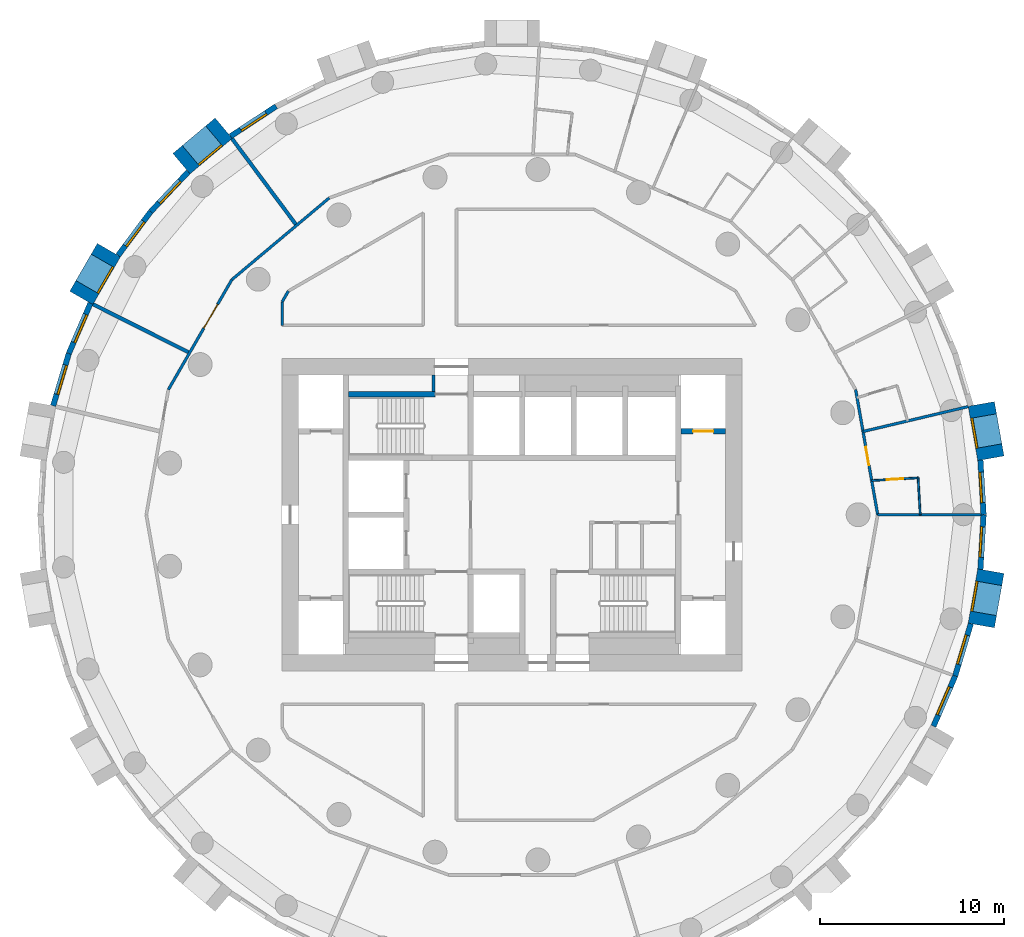
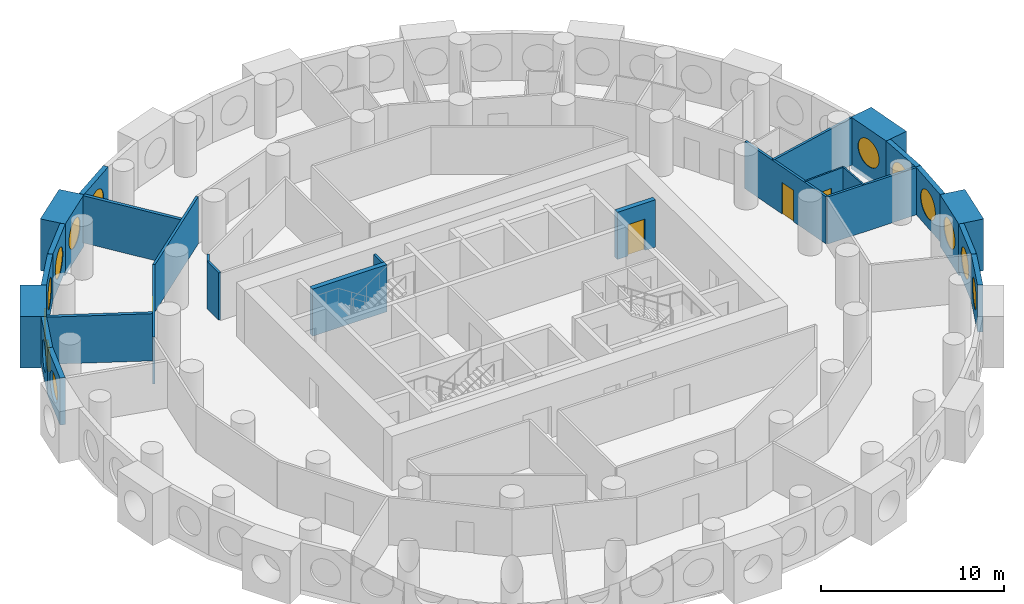
# One storey, part 5 of 9: 27 walls, 13 windows, 4 doors, 17 openings.
"""IFC4 building model written with IfcOpenShell, lengths in metres."""

import ifcopenshell
import ifcopenshell.guid

model = None  # the IFC model being written
_history = None  # IfcOwnerHistory: only IFC2X3 demands one
_inside = {}  # id of a spatial element -> (the spatial element, [elements in it])
_under = {}  # id of a project, library or spatial element -> (it, [spatial elements below it])
_declared = {}  # id of a project -> (the project, [libraries it declares])
_typed = {}  # id of a type object -> (the type object, [elements of that type])
_made_of = {}  # id of a material, layer set ... -> (it, [elements and type objects made of it])


def new_model(schema):
    """Start an empty IFC model of exactly this schema.

    Asked for "IFC4X3", IfcOpenShell would pick the latest addendum, in which some entities
    have other attributes; the version numbers below select the first issue.
    IFC2X3 requires an IfcOwnerHistory on every rooted entity: one is made here for all.
    """
    global model, _history
    if schema == "IFC4X3":
        model = ifcopenshell.file(schema_version=(4, 3, 0, 0))
    else:
        model = ifcopenshell.file(schema=schema)
    _inside.clear()
    _under.clear()
    _declared.clear()
    _typed.clear()
    _made_of.clear()
    _history = None
    if model.schema == "IFC2X3":
        org = make("IfcOrganization", Name="unknown")
        user = make(
            "IfcPersonAndOrganization",
            ThePerson=make("IfcPerson", FamilyName="unknown"),
            TheOrganization=org,
        )
        app = make(
            "IfcApplication",
            ApplicationDeveloper=org,
            Version="unknown",
            ApplicationFullName="unknown",
            ApplicationIdentifier="unknown",
        )
        _history = make(
            "IfcOwnerHistory",
            OwningUser=user,
            OwningApplication=app,
            ChangeAction="ADDED",
            CreationDate=0,
        )
    return model


def make(cls, **values):
    """One entity of the class cls with the attributes given. An attribute that is None is left unset."""
    return model.create_entity(
        cls, **{name: value for name, value in values.items() if value is not None}
    )


def rooted(cls, **values):
    """An entity with a GlobalId (a new one), such as an element, a storey or a relation."""
    return make(cls, GlobalId=ifcopenshell.guid.new(), OwnerHistory=_history, **values)


def si_unit(unit_type, name, prefix=None):
    """IfcSIUnit, for example si_unit("LENGTHUNIT", "METRE", prefix="MILLI")."""
    return make("IfcSIUnit", UnitType=unit_type, Prefix=prefix, Name=name)


def assignment(units):
    """IfcUnitAssignment: the units of a project."""
    return None if units is None else make("IfcUnitAssignment", Units=units)


def point(xyz):
    """IfcCartesianPoint."""
    return None if xyz is None else make("IfcCartesianPoint", Coordinates=xyz)


def direction(xyz):
    """IfcDirection."""
    return None if xyz is None else make("IfcDirection", DirectionRatios=xyz)


def frame(location, z_axis=None, x_axis=None):
    """IfcAxis2Placement3D, a coordinate frame: its origin and axes. An axis left out is left unset."""
    return make(
        "IfcAxis2Placement3D",
        Location=point(location),
        Axis=direction(z_axis),
        RefDirection=direction(x_axis),
    )


def frame_2d(location, x_axis=None):
    """IfcAxis2Placement2D, a coordinate frame in the plane: its origin and x axis."""
    return make(
        "IfcAxis2Placement2D", Location=point(location), RefDirection=direction(x_axis)
    )


def origin():
    """The frame at (0, 0, 0) with its axes left unset."""
    return frame((0.0, 0.0, 0.0))


def origin_2d():
    """The frame at (0, 0) in the plane with its x axis left unset."""
    return frame_2d((0.0, 0.0))


def place(relative_to, where):
    """IfcLocalPlacement: puts the frame where relative to a parent placement (None: the world)."""
    return make(
        "IfcLocalPlacement", PlacementRelTo=relative_to, RelativePlacement=where
    )


def context(
    kind, dimensions, precision=None, world=None, true_north=None, identifier=None
):
    """IfcGeometricRepresentationContext, for example the 3D "Model" context."""
    return make(
        "IfcGeometricRepresentationContext",
        ContextIdentifier=identifier,
        ContextType=kind,
        CoordinateSpaceDimension=dimensions,
        Precision=precision,
        WorldCoordinateSystem=world,
        TrueNorth=true_north,
    )


def subcontext(parent, identifier, kind, view, scale=None):
    """IfcGeometricRepresentationSubContext, for example "Body" below "Model"."""
    return make(
        "IfcGeometricRepresentationSubContext",
        ContextIdentifier=identifier,
        ContextType=kind,
        ParentContext=parent,
        TargetScale=scale,
        TargetView=view,
    )


def project(units=None, contexts=None):
    """IfcProject with its units and contexts."""
    return rooted(
        "IfcProject",
        Name="project",
        RepresentationContexts=contexts,
        UnitsInContext=assignment(units),
    )


def spatial(cls, under=None, at=None, **own):
    """A site, building, storey or space (cls), placed at a placement, below another one or the project."""
    s = rooted(cls, ObjectPlacement=at, **own)
    if under is not None:
        _under.setdefault(under.id(), (under, []))[1].append(s)
    return s


def profile(cls, at=None, kind="AREA", **sizes):
    """A parametric profile (cls). Its sizes go by their IFC names, for example OverallWidth=200.0."""
    return make(cls, ProfileType=kind, Position=at, **sizes)


def rectangle(**sizes):
    """IfcRectangleProfileDef."""
    return profile("IfcRectangleProfileDef", **sizes)


def circle(**sizes):
    """IfcCircleProfileDef."""
    return profile("IfcCircleProfileDef", **sizes)


def extrude(swept, where, along, depth):
    """IfcExtrudedAreaSolid: the profile swept, set in the frame where, extruded along a direction by depth."""
    return make(
        "IfcExtrudedAreaSolid",
        SweptArea=swept,
        Position=where,
        ExtrudedDirection=direction(along),
        Depth=depth,
    )


def shape(context_of_items, identifier, shape_type, items):
    """IfcShapeRepresentation: the items that make up one representation, for example the "Body"."""
    return make(
        "IfcShapeRepresentation",
        ContextOfItems=context_of_items,
        RepresentationIdentifier=identifier,
        RepresentationType=shape_type,
        Items=items,
    )


def material(Name=None, Category=None):
    """IfcMaterial."""
    return make("IfcMaterial", Name=Name, Category=Category)


def layer(
    of_material, thickness, ventilated=None, Name=None, Category=None, Priority=None
):
    """IfcMaterialLayer: one layer of a wall or slab, of a material (None: an air gap)."""
    return make(
        "IfcMaterialLayer",
        Material=of_material,
        LayerThickness=thickness,
        IsVentilated=ventilated,
        Name=Name,
        Category=Category,
        Priority=Priority,
    )


def layer_set(layers, Name=None):
    """IfcMaterialLayerSet."""
    return make("IfcMaterialLayerSet", MaterialLayers=layers, LayerSetName=Name)


def made_of(thing, what):
    """Note that an element or type object is made of a material, layer set ...; save() writes the relation."""
    if what is not None:
        _made_of.setdefault(what.id(), (what, []))[1].append(thing)
    return thing


def type_object(cls, material=None, **own):
    """A type object (cls), such as IfcWallType, which elements share."""
    return made_of(rooted(cls, **own), material)


def element(
    cls,
    number,
    at=None,
    inside=None,
    cuts=None,
    type_object=None,
    material=None,
    context=None,
    identifier="Body",
    shape_type=None,
    held_by="IfcProductDefinitionShape",
    body=None,
    shapes=None,
    **own,
):
    """One element of the class cls, such as IfcWall. Its Tag is "e" and its number.

    at: its placement. inside: the storey or other place that contains it. cuts: it is an
    opening in that element (IfcRelVoidsElement). A single representation is given by context,
    identifier, shape_type and body (its items); several are given by shapes. held_by: the class
    of the entity that holds the representations. save() writes the other relations.
    """
    e = rooted(cls, Tag="e%d" % number, ObjectPlacement=at, **own)
    if body is not None:
        shapes = [shape(context, identifier, shape_type, body)]
    if shapes is not None:
        e.Representation = make(held_by, Representations=shapes)
    if inside is not None:
        _inside.setdefault(inside.id(), (inside, []))[1].append(e)
    if cuts is not None:
        rooted(
            "IfcRelVoidsElement", RelatingBuildingElement=cuts, RelatedOpeningElement=e
        )
    if type_object is not None:
        _typed.setdefault(type_object.id(), (type_object, []))[1].append(e)
    return made_of(e, material)


def fill(opening, filler):
    """IfcRelFillsElement: the door or window that sits in an opening."""
    return rooted(
        "IfcRelFillsElement",
        RelatingOpeningElement=opening,
        RelatedBuildingElement=filler,
    )


def aggregate(whole, parts):
    """IfcRelAggregates: a whole, such as a stair, and the parts it consists of."""
    return rooted("IfcRelAggregates", RelatingObject=whole, RelatedObjects=parts)


def save(model, path):
    """Write the relations noted so far, then the file.

    IfcRelAggregates (storeys below a building ...), IfcRelContainedInSpatialStructure (elements
    in a storey), IfcRelDefinesByType, IfcRelAssociatesMaterial and IfcRelDeclares: one each for
    every whole, place, type object, material and project.
    """
    for whole, parts in _under.values():
        aggregate(whole, parts)
    for where, things in _inside.values():
        rooted(
            "IfcRelContainedInSpatialStructure",
            RelatedElements=things,
            RelatingStructure=where,
        )
    for kind, things in _typed.values():
        rooted("IfcRelDefinesByType", RelatedObjects=things, RelatingType=kind)
    for what, things in _made_of.values():
        rooted("IfcRelAssociatesMaterial", RelatedObjects=things, RelatingMaterial=what)
    for by, libraries in _declared.values():
        rooted("IfcRelDeclares", RelatingContext=by, RelatedDefinitions=libraries)
    model.write(path)


model = new_model("IFC4")

# Units and contexts
model_context = context("Model", 3, precision=1e-05, world=origin(), true_north=direction((0.0, 1.0)))
body_context = subcontext(model_context, "Body", "Model", "MODEL_VIEW")
ifc_project = project(units=[si_unit("LENGTHUNIT", "METRE"), si_unit("AREAUNIT", "SQUARE_METRE"), si_unit("VOLUMEUNIT", "CUBIC_METRE"), si_unit("PLANEANGLEUNIT", "RADIAN"), si_unit("MASSUNIT", "GRAM", prefix="KILO")], contexts=[model_context])

# Site, building, storey
site_placement = place(None, origin())
site = spatial("IfcSite", under=ifc_project, at=site_placement, CompositionType="ELEMENT")
building_placement = place(site_placement, origin())
building = spatial("IfcBuilding", under=site, at=building_placement, Name="Tracery Tower", CompositionType="ELEMENT")
storey_placement = place(building_placement, frame((0.0, 0.0, 216.0)))
storey = spatial("IfcBuildingStorey", under=building, at=storey_placement, Name="L56", CompositionType="ELEMENT", Elevation=216.0)

# Wall
ifc_material_1 = material(Name="Plasterboard on steel studs", Category="steel")
ifc_layer_1 = layer(ifc_material_1, 0.14990234375)
ifc_layer_set_1 = layer_set([ifc_layer_1], Name="Core room partition 150")
wall_type_1 = type_object("IfcWallType", Name="Core room partition 150", PredefinedType="SOLIDWALL", material=ifc_layer_set_1)
wall_1_placement = place(storey_placement, frame((-4.27490234375, 6.699951171875, 0.0), z_axis=(0.0, 0.0, 1.0), x_axis=(0.0, 1.0, 0.0)))
element("IfcWall", 1, at=wall_1_placement, inside=storey, type_object=wall_type_1, Name="L56 F N room", PredefinedType="SOLIDWALL", context=body_context, shape_type="SweptSolid", body=[
    extrude(rectangle(XDim=0.900146484375, YDim=0.14990234375, at=frame_2d((0.4501953125, 0.0))), origin(), (0.0, 0.0, 1.0), 3.14990234375),
])

# Wall, opening, window
ifc_material_2 = material(Name="Precast concrete C50/60", Category="concrete")
ifc_layer_2 = layer(ifc_material_2, 1.449951171875)
ifc_layer_set_2 = layer_set([ifc_layer_2], Name="Deep-set bay unit 3000 x 3450, slab edge 300")
wall_type_2 = type_object("IfcWallType", Name="Deep-set bay unit 3000 x 3450, slab edge 300", PredefinedType="ELEMENTEDWALL", material=ifc_layer_set_2)
wall_2_placement = place(storey_placement, frame((26.041748046875, 3.06884765625, -0.300048828125), z_axis=(0.0, 0.0, 1.0), x_axis=(-0.173669267716, 0.984804034035, 0.0)))
wall_2 = element("IfcWall", 2, at=wall_2_placement, inside=storey, type_object=wall_type_2, Name="Deep-set bay unit 2 at L56", PredefinedType="ELEMENTEDWALL", context=body_context, shape_type="SweptSolid", body=[
    extrude(rectangle(XDim=3.0, YDim=1.449951171875, at=frame_2d((1.5, 0.0))), origin(), (0.0, 0.0, 1.0), 3.449951171875),
])
opening_1_placement = place(wall_2_placement, frame((1.5, 0.0, 1.85009765625)))
opening_1 = element("IfcOpeningElement", 3, at=opening_1_placement, cuts=wall_2, Name="Opening WN1", PredefinedType="OPENING", context=body_context, shape_type="SweptSolid", body=[
    extrude(circle(Radius=0.9000244140625, at=origin_2d()), frame((0.0, 0.73486328125, 0.0), z_axis=(0.0, -1.0, 0.0), x_axis=(1.0, 0.0, 0.0)), (0.0, 0.0, 1.0), 1.469970703125),
])
ifc_material_3 = material(Name="Aluminium frame with tinted double glazing", Category="aluminium")
window_type = type_object("IfcWindowType", Name="Round window 1800", PartitioningType="SINGLE_PANEL", PredefinedType="WINDOW", material=ifc_material_3)
window_1_placement = place(opening_1_placement, origin())
window_1 = element("IfcWindow", 4, at=window_1_placement, inside=storey, type_object=window_type, Name="Round window 2 at L56", OverallHeight=1.800048828125, OverallWidth=1.800048828125, PartitioningType="SINGLE_PANEL", PredefinedType="WINDOW", context=body_context, shape_type="SweptSolid", body=[
    extrude(circle(Radius=0.9000244140625, at=origin_2d()), frame((0.0, 0.69482421875, 0.0), z_axis=(0.0, -1.0, 0.0), x_axis=(1.0, 0.0, 0.0)), (0.0, 0.0, 1.0), 0.10009765625),
])
fill(opening_1, window_1)

wall_3_placement = place(storey_placement, frame((-15.678466796875, 21.0185546875, -0.300048828125), z_axis=(0.0, 0.0, 1.0), x_axis=(-0.766022196139, -0.642814121673, 0.0)))
wall_3 = element("IfcWall", 5, at=wall_3_placement, inside=storey, type_object=wall_type_2, Name="Deep-set bay unit 20 at L56", PredefinedType="ELEMENTEDWALL", context=body_context, shape_type="SweptSolid", body=[
    extrude(rectangle(XDim=3.0, YDim=1.449951171875, at=frame_2d((1.5, 0.0))), origin(), (0.0, 0.0, 1.0), 3.449951171875),
])
opening_2_placement = place(wall_3_placement, frame((1.5, 0.0, 1.85009765625)))
opening_2 = element("IfcOpeningElement", 6, at=opening_2_placement, cuts=wall_3, Name="Opening WN1", PredefinedType="OPENING", context=body_context, shape_type="SweptSolid", body=[
    extrude(circle(Radius=0.9000244140625, at=origin_2d()), frame((0.0, 0.73486328125, 0.0), z_axis=(0.0, -1.0, 0.0), x_axis=(1.0, 0.0, 0.0)), (0.0, 0.0, 1.0), 1.469970703125),
])
window_2_placement = place(opening_2_placement, origin())
window_2 = element("IfcWindow", 7, at=window_2_placement, inside=storey, type_object=window_type, Name="Round window 20 at L56", OverallHeight=1.800048828125, OverallWidth=1.800048828125, PartitioningType="SINGLE_PANEL", PredefinedType="WINDOW", context=body_context, shape_type="SweptSolid", body=[
    extrude(circle(Radius=0.9000244140625, at=origin_2d()), frame((0.0, 0.69482421875, 0.0), z_axis=(0.0, -1.0, 0.0), x_axis=(1.0, 0.0, 0.0)), (0.0, 0.0, 1.0), 0.10009765625),
])
fill(opening_2, window_2)

wall_4_placement = place(storey_placement, frame((-21.921630859375, 14.388671875, -0.300048828125), z_axis=(0.0, 0.0, 1.0), x_axis=(-0.499990139034, -0.866031096941, 0.0)))
wall_4 = element("IfcWall", 8, at=wall_4_placement, inside=storey, type_object=wall_type_2, Name="Deep-set bay unit 23 at L56", PredefinedType="ELEMENTEDWALL", context=body_context, shape_type="SweptSolid", body=[
    extrude(rectangle(XDim=3.0, YDim=1.449951171875, at=frame_2d((1.5, 0.0))), origin(), (0.0, 0.0, 1.0), 3.449951171875),
])
opening_3_placement = place(wall_4_placement, frame((1.5, 0.0, 1.85009765625)))
opening_3 = element("IfcOpeningElement", 9, at=opening_3_placement, cuts=wall_4, Name="Opening WN1", PredefinedType="OPENING", context=body_context, shape_type="SweptSolid", body=[
    extrude(circle(Radius=0.9000244140625, at=origin_2d()), frame((0.0, 0.73486328125, 0.0), z_axis=(0.0, -1.0, 0.0), x_axis=(1.0, 0.0, 0.0)), (0.0, 0.0, 1.0), 1.469970703125),
])
window_3_placement = place(opening_3_placement, origin())
window_3 = element("IfcWindow", 10, at=window_3_placement, inside=storey, type_object=window_type, Name="Round window 23 at L56", OverallHeight=1.800048828125, OverallWidth=1.800048828125, PartitioningType="SINGLE_PANEL", PredefinedType="WINDOW", context=body_context, shape_type="SweptSolid", body=[
    extrude(circle(Radius=0.9000244140625, at=origin_2d()), frame((0.0, 0.69482421875, 0.0), z_axis=(0.0, -1.0, 0.0), x_axis=(1.0, 0.0, 0.0)), (0.0, 0.0, 1.0), 0.10009765625),
])
fill(opening_3, window_3)

wall_5_placement = place(storey_placement, frame((25.520751953125, -6.023193359375, -0.300048828125), z_axis=(0.0, 0.0, 1.0), x_axis=(0.173669267716, 0.984804034035, 0.0)))
wall_5 = element("IfcWall", 11, at=wall_5_placement, inside=storey, type_object=wall_type_2, Name="Deep-set bay unit 53 at L56", PredefinedType="ELEMENTEDWALL", context=body_context, shape_type="SweptSolid", body=[
    extrude(rectangle(XDim=3.0, YDim=1.449951171875, at=frame_2d((1.5, 0.0))), origin(), (0.0, 0.0, 1.0), 3.449951171875),
])
opening_4_placement = place(wall_5_placement, frame((1.5, 0.0, 1.85009765625)))
opening_4 = element("IfcOpeningElement", 12, at=opening_4_placement, cuts=wall_5, Name="Opening WN1", PredefinedType="OPENING", context=body_context, shape_type="SweptSolid", body=[
    extrude(circle(Radius=0.9000244140625, at=origin_2d()), frame((0.0, 0.73486328125, 0.0), z_axis=(0.0, -1.0, 0.0), x_axis=(1.0, 0.0, 0.0)), (0.0, 0.0, 1.0), 1.469970703125),
])
window_4_placement = place(opening_4_placement, origin())
window_4 = element("IfcWindow", 13, at=window_4_placement, inside=storey, type_object=window_type, Name="Round window 53 at L56", OverallHeight=1.800048828125, OverallWidth=1.800048828125, PartitioningType="SINGLE_PANEL", PredefinedType="WINDOW", context=body_context, shape_type="SweptSolid", body=[
    extrude(circle(Radius=0.9000244140625, at=origin_2d()), frame((0.0, 0.69482421875, 0.0), z_axis=(0.0, -1.0, 0.0), x_axis=(1.0, 0.0, 0.0)), (0.0, 0.0, 1.0), 0.10009765625),
])
fill(opening_4, window_4)

ifc_material_4 = material(Name="Precast concrete C50/60", Category="concrete")
ifc_layer_3 = layer(ifc_material_4, 0.300048828125)
ifc_layer_set_3 = layer_set([ifc_layer_3], Name="Facade panel 3000 x 3150")
wall_type_3 = type_object("IfcWallType", Name="Facade panel 3000 x 3150", PredefinedType="SOLIDWALL", material=ifc_layer_set_3)
wall_6_placement = place(storey_placement, frame((25.6474609375, 0.0, 0.0), z_axis=(0.0, 0.0, 1.0), x_axis=(-0.058144307138, 0.998308188661, 0.0)))
wall_6 = element("IfcWall", 14, at=wall_6_placement, inside=storey, type_object=wall_type_3, Name="Facade panel 1 at L56", PredefinedType="SOLIDWALL", context=body_context, shape_type="SweptSolid", body=[
    extrude(rectangle(XDim=2.972900390625, YDim=0.300048828125, at=frame_2d((1.486328125, 0.0))), origin(), (0.0, 0.0, 1.0), 3.14990234375),
])
opening_5_placement = place(wall_6_placement, frame((1.486328125, 0.0, 1.5498046875)))
opening_5 = element("IfcOpeningElement", 15, at=opening_5_placement, cuts=wall_6, Name="Opening WN1", PredefinedType="OPENING", context=body_context, shape_type="SweptSolid", body=[
    extrude(circle(Radius=0.9000244140625, at=origin_2d()), frame((0.0, 0.159912109375, 0.0), z_axis=(0.0, -1.0, 0.0), x_axis=(1.0, 0.0, 0.0)), (0.0, 0.0, 1.0), 0.320068359375),
])
window_5_placement = place(opening_5_placement, origin())
window_5 = element("IfcWindow", 16, at=window_5_placement, inside=storey, type_object=window_type, Name="Round window 1 at L56", OverallHeight=1.800048828125, OverallWidth=1.800048828125, PartitioningType="SINGLE_PANEL", PredefinedType="WINDOW", context=body_context, shape_type="SweptSolid", body=[
    extrude(circle(Radius=0.9000244140625, at=origin_2d()), frame((0.0, 0.1201171875, 0.0), z_axis=(0.0, -1.0, 0.0), x_axis=(1.0, 0.0, 0.0)), (0.0, 0.0, 1.0), 0.10009765625),
])
fill(opening_5, window_5)

wall_7_placement = place(storey_placement, frame((-12.82373046875, 22.21142578125, 0.0), z_axis=(0.0, 0.0, 1.0), x_axis=(-0.835470659512, -0.549535055382, 0.0)))
wall_7 = element("IfcWall", 17, at=wall_7_placement, inside=storey, type_object=wall_type_3, Name="Facade panel 19 at L56", PredefinedType="SOLIDWALL", context=body_context, shape_type="SweptSolid", body=[
    extrude(rectangle(XDim=2.97314453125, YDim=0.300048828125, at=frame_2d((1.486572265625, 0.0))), origin(), (0.0, 0.0, 1.0), 3.14990234375),
])
opening_6_placement = place(wall_7_placement, frame((1.486328125, 0.0, 1.5498046875)))
opening_6 = element("IfcOpeningElement", 18, at=opening_6_placement, cuts=wall_7, Name="Opening WN1", PredefinedType="OPENING", context=body_context, shape_type="SweptSolid", body=[
    extrude(circle(Radius=0.9000244140625, at=origin_2d()), frame((0.0, 0.159912109375, 0.0), z_axis=(0.0, -1.0, 0.0), x_axis=(1.0, 0.0, 0.0)), (0.0, 0.0, 1.0), 0.320068359375),
])
window_6_placement = place(opening_6_placement, origin())
window_6 = element("IfcWindow", 19, at=window_6_placement, inside=storey, type_object=window_type, Name="Round window 19 at L56", OverallHeight=1.800048828125, OverallWidth=1.800048828125, PartitioningType="SINGLE_PANEL", PredefinedType="WINDOW", context=body_context, shape_type="SweptSolid", body=[
    extrude(circle(Radius=0.9000244140625, at=origin_2d()), frame((0.0, 0.1201171875, 0.0), z_axis=(0.0, -1.0, 0.0), x_axis=(1.0, 0.0, 0.0)), (0.0, 0.0, 1.0), 0.10009765625),
])
fill(opening_6, window_6)

wall_8_placement = place(storey_placement, frame((-17.60693359375, 18.648193359375, 0.0), z_axis=(0.0, 0.0, 1.0), x_axis=(-0.686235184166, -0.727379730273, 0.0)))
wall_8 = element("IfcWall", 20, at=wall_8_placement, inside=storey, type_object=wall_type_3, Name="Facade panel 21 at L56", PredefinedType="SOLIDWALL", context=body_context, shape_type="SweptSolid", body=[
    extrude(rectangle(XDim=2.972900390625, YDim=0.300048828125, at=frame_2d((1.486328125, 0.0))), origin(), (0.0, 0.0, 1.0), 3.14990234375),
])
opening_7_placement = place(wall_8_placement, frame((1.486328125, 0.0, 1.5498046875)))
opening_7 = element("IfcOpeningElement", 21, at=opening_7_placement, cuts=wall_8, Name="Opening WN1", PredefinedType="OPENING", context=body_context, shape_type="SweptSolid", body=[
    extrude(circle(Radius=0.9000244140625, at=origin_2d()), frame((0.0, 0.159912109375, 0.0), z_axis=(0.0, -1.0, 0.0), x_axis=(1.0, 0.0, 0.0)), (0.0, 0.0, 1.0), 0.320068359375),
])
window_7_placement = place(opening_7_placement, origin())
window_7 = element("IfcWindow", 22, at=window_7_placement, inside=storey, type_object=window_type, Name="Round window 21 at L56", OverallHeight=1.800048828125, OverallWidth=1.800048828125, PartitioningType="SINGLE_PANEL", PredefinedType="WINDOW", context=body_context, shape_type="SweptSolid", body=[
    extrude(circle(Radius=0.9000244140625, at=origin_2d()), frame((0.0, 0.1201171875, 0.0), z_axis=(0.0, -1.0, 0.0), x_axis=(1.0, 0.0, 0.0)), (0.0, 0.0, 1.0), 0.10009765625),
])
fill(opening_7, window_7)

wall_9_placement = place(storey_placement, frame((-19.64697265625, 16.48583984375, 0.0), z_axis=(0.0, 0.0, 1.0), x_axis=(-0.597197580538, -0.80209416517, 0.0)))
wall_9 = element("IfcWall", 23, at=wall_9_placement, inside=storey, type_object=wall_type_3, Name="Facade panel 22 at L56", PredefinedType="SOLIDWALL", context=body_context, shape_type="SweptSolid", body=[
    extrude(rectangle(XDim=2.972900390625, YDim=0.300048828125, at=frame_2d((1.486328125, 0.0))), origin(), (0.0, 0.0, 1.0), 3.14990234375),
])
opening_8_placement = place(wall_9_placement, frame((1.486328125, 0.0, 1.5498046875)))
opening_8 = element("IfcOpeningElement", 24, at=opening_8_placement, cuts=wall_9, Name="Opening WN1", PredefinedType="OPENING", context=body_context, shape_type="SweptSolid", body=[
    extrude(circle(Radius=0.9000244140625, at=origin_2d()), frame((0.0, 0.159912109375, 0.0), z_axis=(0.0, -1.0, 0.0), x_axis=(1.0, 0.0, 0.0)), (0.0, 0.0, 1.0), 0.320068359375),
])
window_8_placement = place(opening_8_placement, origin())
window_8 = element("IfcWindow", 25, at=window_8_placement, inside=storey, type_object=window_type, Name="Round window 22 at L56", OverallHeight=1.800048828125, OverallWidth=1.800048828125, PartitioningType="SINGLE_PANEL", PredefinedType="WINDOW", context=body_context, shape_type="SweptSolid", body=[
    extrude(circle(Radius=0.9000244140625, at=origin_2d()), frame((0.0, 0.1201171875, 0.0), z_axis=(0.0, -1.0, 0.0), x_axis=(1.0, 0.0, 0.0)), (0.0, 0.0, 1.0), 0.10009765625),
])
fill(opening_8, window_8)

wall_10_placement = place(storey_placement, frame((-22.923095703125, 11.501708984375, 0.0), z_axis=(0.0, 0.0, 1.0), x_axis=(-0.396148129016, -0.918186614952, 0.0)))
wall_10 = element("IfcWall", 26, at=wall_10_placement, inside=storey, type_object=wall_type_3, Name="Facade panel 24 at L56", PredefinedType="SOLIDWALL", context=body_context, shape_type="SweptSolid", body=[
    extrude(rectangle(XDim=2.972900390625, YDim=0.300048828125, at=frame_2d((1.486328125, 0.0))), origin(), (0.0, 0.0, 1.0), 3.14990234375),
])
opening_9_placement = place(wall_10_placement, frame((1.486328125, 0.0, 1.5498046875)))
opening_9 = element("IfcOpeningElement", 27, at=opening_9_placement, cuts=wall_10, Name="Opening WN1", PredefinedType="OPENING", context=body_context, shape_type="SweptSolid", body=[
    extrude(circle(Radius=0.9000244140625, at=origin_2d()), frame((0.0, 0.159912109375, 0.0), z_axis=(0.0, -1.0, 0.0), x_axis=(1.0, 0.0, 0.0)), (0.0, 0.0, 1.0), 0.320068359375),
])
window_9_placement = place(opening_9_placement, origin())
window_9 = element("IfcWindow", 28, at=window_9_placement, inside=storey, type_object=window_type, Name="Round window 24 at L56", OverallHeight=1.800048828125, OverallWidth=1.800048828125, PartitioningType="SINGLE_PANEL", PredefinedType="WINDOW", context=body_context, shape_type="SweptSolid", body=[
    extrude(circle(Radius=0.9000244140625, at=origin_2d()), frame((0.0, 0.1201171875, 0.0), z_axis=(0.0, -1.0, 0.0), x_axis=(1.0, 0.0, 0.0)), (0.0, 0.0, 1.0), 0.10009765625),
])
fill(opening_9, window_9)

wall_11_placement = place(storey_placement, frame((-24.100830078125, 8.77197265625, 0.0), z_axis=(0.0, 0.0, 1.0), x_axis=(-0.286782750849, -0.957995643944, 0.0)))
wall_11 = element("IfcWall", 29, at=wall_11_placement, inside=storey, type_object=wall_type_3, Name="Facade panel 25 at L56", PredefinedType="SOLIDWALL", context=body_context, shape_type="SweptSolid", body=[
    extrude(rectangle(XDim=2.97265625, YDim=0.300048828125, at=frame_2d((1.486328125, 0.0))), origin(), (0.0, 0.0, 1.0), 3.14990234375),
])
opening_10_placement = place(wall_11_placement, frame((1.486328125, 0.0, 1.5498046875)))
opening_10 = element("IfcOpeningElement", 30, at=opening_10_placement, cuts=wall_11, Name="Opening WN1", PredefinedType="OPENING", context=body_context, shape_type="SweptSolid", body=[
    extrude(circle(Radius=0.9000244140625, at=origin_2d()), frame((0.0, 0.159912109375, 0.0), z_axis=(0.0, -1.0, 0.0), x_axis=(1.0, 0.0, 0.0)), (0.0, 0.0, 1.0), 0.320068359375),
])
window_10_placement = place(opening_10_placement, origin())
window_10 = element("IfcWindow", 31, at=window_10_placement, inside=storey, type_object=window_type, Name="Round window 25 at L56", OverallHeight=1.800048828125, OverallWidth=1.800048828125, PartitioningType="SINGLE_PANEL", PredefinedType="WINDOW", context=body_context, shape_type="SweptSolid", body=[
    extrude(circle(Radius=0.9000244140625, at=origin_2d()), frame((0.0, 0.1201171875, 0.0), z_axis=(0.0, -1.0, 0.0), x_axis=(1.0, 0.0, 0.0)), (0.0, 0.0, 1.0), 0.10009765625),
])
fill(opening_10, window_10)

wall_12_placement = place(storey_placement, frame((22.923095703125, -11.501708984375, 0.0), z_axis=(0.0, 0.0, 1.0), x_axis=(0.396148129016, 0.918186614952, 0.0)))
wall_12 = element("IfcWall", 32, at=wall_12_placement, inside=storey, type_object=wall_type_3, Name="Facade panel 51 at L56", PredefinedType="SOLIDWALL", context=body_context, shape_type="SweptSolid", body=[
    extrude(rectangle(XDim=2.972900390625, YDim=0.300048828125, at=frame_2d((1.486328125, 0.0))), origin(), (0.0, 0.0, 1.0), 3.14990234375),
])
opening_11_placement = place(wall_12_placement, frame((1.486328125, 0.0, 1.5498046875)))
opening_11 = element("IfcOpeningElement", 33, at=opening_11_placement, cuts=wall_12, Name="Opening WN1", PredefinedType="OPENING", context=body_context, shape_type="SweptSolid", body=[
    extrude(circle(Radius=0.9000244140625, at=origin_2d()), frame((0.0, 0.159912109375, 0.0), z_axis=(0.0, -1.0, 0.0), x_axis=(1.0, 0.0, 0.0)), (0.0, 0.0, 1.0), 0.320068359375),
])
window_11_placement = place(opening_11_placement, origin())
window_11 = element("IfcWindow", 34, at=window_11_placement, inside=storey, type_object=window_type, Name="Round window 51 at L56", OverallHeight=1.800048828125, OverallWidth=1.800048828125, PartitioningType="SINGLE_PANEL", PredefinedType="WINDOW", context=body_context, shape_type="SweptSolid", body=[
    extrude(circle(Radius=0.9000244140625, at=origin_2d()), frame((0.0, 0.1201171875, 0.0), z_axis=(0.0, -1.0, 0.0), x_axis=(1.0, 0.0, 0.0)), (0.0, 0.0, 1.0), 0.10009765625),
])
fill(opening_11, window_11)

wall_13_placement = place(storey_placement, frame((24.100830078125, -8.77197265625, 0.0), z_axis=(0.0, 0.0, 1.0), x_axis=(0.286782750849, 0.957995643944, 0.0)))
wall_13 = element("IfcWall", 35, at=wall_13_placement, inside=storey, type_object=wall_type_3, Name="Facade panel 52 at L56", PredefinedType="SOLIDWALL", context=body_context, shape_type="SweptSolid", body=[
    extrude(rectangle(XDim=2.97265625, YDim=0.300048828125, at=frame_2d((1.486328125, 0.0))), origin(), (0.0, 0.0, 1.0), 3.14990234375),
])
opening_12_placement = place(wall_13_placement, frame((1.486328125, 0.0, 1.5498046875)))
opening_12 = element("IfcOpeningElement", 36, at=opening_12_placement, cuts=wall_13, Name="Opening WN1", PredefinedType="OPENING", context=body_context, shape_type="SweptSolid", body=[
    extrude(circle(Radius=0.9000244140625, at=origin_2d()), frame((0.0, 0.159912109375, 0.0), z_axis=(0.0, -1.0, 0.0), x_axis=(1.0, 0.0, 0.0)), (0.0, 0.0, 1.0), 0.320068359375),
])
window_12_placement = place(opening_12_placement, origin())
window_12 = element("IfcWindow", 37, at=window_12_placement, inside=storey, type_object=window_type, Name="Round window 52 at L56", OverallHeight=1.800048828125, OverallWidth=1.800048828125, PartitioningType="SINGLE_PANEL", PredefinedType="WINDOW", context=body_context, shape_type="SweptSolid", body=[
    extrude(circle(Radius=0.9000244140625, at=origin_2d()), frame((0.0, 0.1201171875, 0.0), z_axis=(0.0, -1.0, 0.0), x_axis=(1.0, 0.0, 0.0)), (0.0, 0.0, 1.0), 0.10009765625),
])
fill(opening_12, window_12)

wall_14_placement = place(storey_placement, frame((25.474609375, -2.9677734375, 0.0), z_axis=(0.0, 0.0, 1.0), x_axis=(0.058144307138, 0.998308188661, 0.0)))
wall_14 = element("IfcWall", 38, at=wall_14_placement, inside=storey, type_object=wall_type_3, Name="Facade panel 54 at L56", PredefinedType="SOLIDWALL", context=body_context, shape_type="SweptSolid", body=[
    extrude(rectangle(XDim=2.972900390625, YDim=0.300048828125, at=frame_2d((1.486328125, 0.0))), origin(), (0.0, 0.0, 1.0), 3.14990234375),
])
opening_13_placement = place(wall_14_placement, frame((1.486328125, 0.0, 1.5498046875)))
opening_13 = element("IfcOpeningElement", 39, at=opening_13_placement, cuts=wall_14, Name="Opening WN1", PredefinedType="OPENING", context=body_context, shape_type="SweptSolid", body=[
    extrude(circle(Radius=0.9000244140625, at=origin_2d()), frame((0.0, 0.159912109375, 0.0), z_axis=(0.0, -1.0, 0.0), x_axis=(1.0, 0.0, 0.0)), (0.0, 0.0, 1.0), 0.320068359375),
])
window_13_placement = place(opening_13_placement, origin())
window_13 = element("IfcWindow", 40, at=window_13_placement, inside=storey, type_object=window_type, Name="Round window 54 at L56", OverallHeight=1.800048828125, OverallWidth=1.800048828125, PartitioningType="SINGLE_PANEL", PredefinedType="WINDOW", context=body_context, shape_type="SweptSolid", body=[
    extrude(circle(Radius=0.9000244140625, at=origin_2d()), frame((0.0, 0.1201171875, 0.0), z_axis=(0.0, -1.0, 0.0), x_axis=(1.0, 0.0, 0.0)), (0.0, 0.0, 1.0), 0.10009765625),
])
fill(opening_13, window_13)

# Wall
ifc_material_5 = material(Name="Plasterboard on steel studs", Category="steel")
ifc_layer_4 = layer(ifc_material_5, 0.10009765625)
ifc_layer_set_4 = layer_set([ifc_layer_4], Name="Partition 100 wet wall")
wall_type_4 = type_object("IfcWallType", Name="Partition 100 wet wall", PredefinedType="PARTITIONING", material=ifc_layer_set_4)
wall_15_placement = place(storey_placement, frame((22.083984375, 2.0048828125, 0.0), z_axis=(0.0, 0.0, 1.0), x_axis=(0.058230299749, -0.998303176491, 0.0)))
element("IfcWall", 41, at=wall_15_placement, inside=storey, type_object=wall_type_4, Name="Wet wall RB9-039", PredefinedType="PARTITIONING", context=body_context, shape_type="SweptSolid", body=[
    extrude(rectangle(XDim=2.00830078125, YDim=0.10009765625, at=frame_2d((1.004150390625, 0.0))), origin(), (0.0, 0.0, 1.0), 3.14990234375),
])

# Wall, opening, door
wall_16_placement = place(storey_placement, frame((19.56005859375, 1.85791015625, 0.0), z_axis=(0.0, 0.0, 1.0), x_axis=(0.998308830473, 0.05813328651, 0.0)))
wall_16 = element("IfcWall", 42, at=wall_16_placement, inside=storey, type_object=wall_type_4, Name="Wet wall RB9-040", PredefinedType="PARTITIONING", context=body_context, shape_type="SweptSolid", body=[
    extrude(rectangle(XDim=2.5283203125, YDim=0.10009765625, at=frame_2d((1.26416015625, 0.0))), origin(), (0.0, 0.0, 1.0), 3.14990234375),
])
opening_14_placement = place(wall_16_placement, frame((0.814208984375, 0.0, 0.0)))
opening_14 = element("IfcOpeningElement", 43, at=opening_14_placement, cuts=wall_16, Name="Opening RB9-05", PredefinedType="OPENING", context=body_context, shape_type="SweptSolid", body=[
    extrude(rectangle(XDim=0.89990234375, YDim=2.0400390625, at=frame_2d((0.449951171875, 1.02001953125))), frame((0.0, 0.050048828125, 0.0), z_axis=(0.0, -1.0, 0.0), x_axis=(1.0, 0.0, 0.0)), (0.0, 0.0, 1.0), 0.10009765625),
])
ifc_material_6 = material(Name="Timber door leaf", Category="wood")
door_type_1 = type_object("IfcDoorType", Name="Door en-suite 900", OperationType="NOTDEFINED", PredefinedType="DOOR", material=ifc_material_6)
door_1_placement = place(opening_14_placement, origin())
door_1 = element("IfcDoor", 44, at=door_1_placement, inside=storey, type_object=door_type_1, Name="En-suite door RB9-05", OperationType="SINGLE_SWING_LEFT", OverallHeight=2.0400390625, OverallWidth=0.89990234375, PredefinedType="DOOR", context=body_context, shape_type="SweptSolid", body=[
    extrude(rectangle(XDim=0.89990234375, YDim=2.0400390625, at=frame_2d((0.449951171875, 1.02001953125))), frame((0.0, 0.02490234375, 0.0), z_axis=(0.0, -1.0, 0.0), x_axis=(1.0, 0.0, 0.0)), (0.0, 0.0, 1.0), 0.050048828125),
])
fill(opening_14, door_1)

# Walls
ifc_material_7 = material(Name="Plasterboard on steel studs", Category="steel")
ifc_layer_5 = layer(ifc_material_7, 0.14990234375)
ifc_layer_set_5 = layer_set([ifc_layer_5], Name="Partition 150 acoustic unit wall")
wall_type_5 = type_object("IfcWallType", Name="Partition 150 acoustic unit wall", PredefinedType="PARTITIONING", material=ifc_layer_set_5)
wall_17_placement = place(storey_placement, frame((19.089599609375, 4.525390625, 0.0), z_axis=(0.0, 0.0, 1.0), x_axis=(0.973093766115, 0.230409466707, 0.0)))
element("IfcWall", 45, at=wall_17_placement, inside=storey, type_object=wall_type_5, Name="Unit wall RB9-041", PredefinedType="PARTITIONING", context=body_context, shape_type="SweptSolid", body=[
    extrude(rectangle(XDim=5.878662109375, YDim=0.14990234375, at=frame_2d((2.939453125, 0.0))), origin(), (0.0, 0.0, 1.0), 3.14990234375),
])
wall_18_placement = place(storey_placement, frame((19.887939453125, 0.0, 0.0), z_axis=(0.0, 0.0, 1.0), x_axis=(1.0, 0.0, 0.0)))
element("IfcWall", 46, at=wall_18_placement, inside=storey, type_object=wall_type_5, Name="Unit wall RB9-042", PredefinedType="PARTITIONING", context=body_context, shape_type="SweptSolid", body=[
    extrude(rectangle(XDim=5.609130859375, YDim=0.14990234375, at=frame_2d((2.8046875, 0.0))), origin(), (0.0, 0.0, 1.0), 3.14990234375),
])

# Wall, opening, door
ifc_material_8 = material(Name="Plasterboard on steel studs", Category="steel")
ifc_layer_6 = layer(ifc_material_8, 0.14990234375)
ifc_layer_set_6 = layer_set([ifc_layer_6], Name="Partition 150 corridor wall")
wall_type_6 = type_object("IfcWallType", Name="Partition 150 corridor wall", PredefinedType="PARTITIONING", material=ifc_layer_set_6)
wall_19_placement = place(storey_placement, frame((18.6875, 6.802001953125, 0.0), z_axis=(0.0, 0.0, 1.0), x_axis=(0.173831710537, -0.984775373581, 0.0)))
wall_19 = element("IfcWall", 47, at=wall_19_placement, inside=storey, type_object=wall_type_6, Name="Corridor wall RB9-007", PredefinedType="PARTITIONING", context=body_context, shape_type="SweptSolid", body=[
    extrude(rectangle(XDim=6.9072265625, YDim=0.14990234375, at=frame_2d((3.45361328125, 0.0))), origin(), (0.0, 0.0, 1.0), 3.14990234375),
])
opening_15_placement = place(wall_19_placement, frame((3.1669921875, 0.0, 0.0)))
opening_15 = element("IfcOpeningElement", 48, at=opening_15_placement, cuts=wall_19, Name="Opening RB9-06", PredefinedType="OPENING", context=body_context, shape_type="SweptSolid", body=[
    extrude(rectangle(XDim=1.0, YDim=2.10009765625, at=frame_2d((0.5, 1.050048828125))), frame((0.0, 0.074951171875, 0.0), z_axis=(0.0, -1.0, 0.0), x_axis=(1.0, 0.0, 0.0)), (0.0, 0.0, 1.0), 0.14990234375),
])
ifc_material_9 = material(Name="Timber door leaf", Category="wood")
door_type_2 = type_object("IfcDoorType", Name="Door unit entrance 1000", OperationType="NOTDEFINED", PredefinedType="DOOR", material=ifc_material_9)
door_2_placement = place(opening_15_placement, origin())
door_2 = element("IfcDoor", 49, at=door_2_placement, inside=storey, type_object=door_type_2, Name="Unit entrance door RB9-06", OperationType="SINGLE_SWING_RIGHT", OverallHeight=2.10009765625, OverallWidth=1.0, PredefinedType="DOOR", context=body_context, shape_type="SweptSolid", body=[
    extrude(rectangle(XDim=1.0, YDim=2.10009765625, at=frame_2d((0.5, 1.050048828125))), frame((0.0, 0.02490234375, 0.0), z_axis=(0.0, -1.0, 0.0), x_axis=(1.0, 0.0, 0.0)), (0.0, 0.0, 1.0), 0.050048828125),
])
fill(opening_15, door_2)

# Walls
wall_20_placement = place(storey_placement, frame((-15.23388671875, 12.78271484375, 0.0), z_axis=(0.0, 0.0, 1.0), x_axis=(0.765936018543, 0.642916802937, 0.0)))
element("IfcWall", 50, at=wall_20_placement, inside=storey, type_object=wall_type_6, Name="Corridor wall RB9-020", PredefinedType="PARTITIONING", context=body_context, shape_type="SweptSolid", body=[
    extrude(rectangle(XDim=6.90625, YDim=0.14990234375, at=frame_2d((3.453125, 0.0))), origin(), (0.0, 0.0, 1.0), 3.14990234375),
])
wall_21_placement = place(storey_placement, frame((-12.5, 11.576904296875, 0.0), z_axis=(0.0, 0.0, 1.0), x_axis=(0.500024767483, 0.866011103799, 0.0)))
element("IfcWall", 51, at=wall_21_placement, inside=storey, type_object=wall_type_6, Name="Corridor wall RB9-022", PredefinedType="PARTITIONING", context=body_context, shape_type="SweptSolid", body=[
    extrude(rectangle(XDim=0.67578125, YDim=0.14990234375, at=frame_2d((0.337890625, 0.0))), origin(), (0.0, 0.0, 1.0), 3.14990234375),
])
wall_22_placement = place(storey_placement, frame((-12.5, 10.300048828125, 0.0), z_axis=(0.0, 0.0, 1.0), x_axis=(0.0, 1.0, 0.0)))
element("IfcWall", 52, at=wall_22_placement, inside=storey, type_object=wall_type_6, Name="Corridor wall RB9-023", PredefinedType="PARTITIONING", context=body_context, shape_type="SweptSolid", body=[
    extrude(rectangle(XDim=1.27685546875, YDim=0.14990234375, at=frame_2d((0.638427734375, 0.0))), origin(), (0.0, 0.0, 1.0), 3.14990234375),
])

# Wall, opening, door
wall_23_placement = place(storey_placement, frame((-18.68798828125, 6.802001953125, 0.0), z_axis=(0.0, 0.0, 1.0), x_axis=(0.499914202267, 0.866074933462, 0.0)))
wall_23 = element("IfcWall", 53, at=wall_23_placement, inside=storey, type_object=wall_type_6, Name="Corridor wall RB9-026", PredefinedType="PARTITIONING", context=body_context, shape_type="SweptSolid", body=[
    extrude(rectangle(XDim=6.906982421875, YDim=0.14990234375, at=frame_2d((3.45361328125, 0.0))), origin(), (0.0, 0.0, 1.0), 3.14990234375),
])
opening_16_placement = place(wall_23_placement, frame((3.857177734375, 0.0, 0.0)))
opening_16 = element("IfcOpeningElement", 54, at=opening_16_placement, cuts=wall_23, Name="Opening RB9-19", PredefinedType="OPENING", context=body_context, shape_type="SweptSolid", body=[
    extrude(rectangle(XDim=1.5, YDim=2.10009765625, at=frame_2d((0.75, 1.050048828125))), frame((0.0, 0.074951171875, 0.0), z_axis=(0.0, -1.0, 0.0), x_axis=(1.0, 0.0, 0.0)), (0.0, 0.0, 1.0), 0.14990234375),
])
ifc_material_10 = material(Name="Timber door leaf", Category="wood")
door_type_3 = type_object("IfcDoorType", Name="Door double kitchen 1500", OperationType="NOTDEFINED", PredefinedType="DOOR", material=ifc_material_10)
door_3_placement = place(opening_16_placement, origin())
door_3 = element("IfcDoor", 55, at=door_3_placement, inside=storey, type_object=door_type_3, Name="Double kitchen door RB9-19", OperationType="DOUBLE_DOOR_SINGLE_SWING", OverallHeight=2.10009765625, OverallWidth=1.5, PredefinedType="DOOR", context=body_context, shape_type="SweptSolid", body=[
    extrude(rectangle(XDim=1.5, YDim=2.10009765625, at=frame_2d((0.75, 1.050048828125))), frame((0.0, 0.02490234375, 0.0), z_axis=(0.0, -1.0, 0.0), x_axis=(1.0, 0.0, 0.0)), (0.0, 0.0, 1.0), 0.050048828125),
])
fill(opening_16, door_3)

# Walls
ifc_material_11 = material(Name="Plasterboard on steel studs", Category="steel")
ifc_layer_7 = layer(ifc_material_11, 0.199951171875)
ifc_layer_set_7 = layer_set([ifc_layer_7], Name="Partition 200 compartment wall")
wall_type_7 = type_object("IfcWallType", Name="Partition 200 compartment wall", PredefinedType="PARTITIONING", material=ifc_layer_set_7)
wall_24_placement = place(storey_placement, frame((-15.22607421875, 20.451904296875, 0.0), z_axis=(0.0, 0.0, 1.0), x_axis=(0.597151875745, -0.802128192557, 0.0)))
element("IfcWall", 56, at=wall_24_placement, inside=storey, type_object=wall_type_7, Name="Compartment wall RB9-063", PredefinedType="PARTITIONING", context=body_context, shape_type="SweptSolid", body=[
    extrude(rectangle(XDim=5.8779296875, YDim=0.199951171875, at=frame_2d((2.93896484375, 0.0))), origin(), (0.0, 0.0, 1.0), 3.14990234375),
])
wall_25_placement = place(storey_placement, frame((-22.784912109375, 11.443115234375, 0.0), z_axis=(0.0, 0.0, 1.0), x_axis=(0.893628331628, -0.448807759415, 0.0)))
element("IfcWall", 57, at=wall_25_placement, inside=storey, type_object=wall_type_7, Name="Compartment wall RB9-064", PredefinedType="PARTITIONING", context=body_context, shape_type="SweptSolid", body=[
    extrude(rectangle(XDim=5.878173828125, YDim=0.199951171875, at=frame_2d((2.93896484375, 0.0))), origin(), (0.0, 0.0, 1.0), 3.14990234375),
])

# Wall, opening, door
ifc_material_12 = material(Name="Concrete C50/60", Category="concrete")
ifc_layer_8 = layer(ifc_material_12, 0.300048828125)
ifc_layer_set_8 = layer_set([ifc_layer_8], Name="Shaft wall 300 C50")
wall_type_8 = type_object("IfcWallType", Name="Shaft wall 300 C50", PredefinedType="SOLIDWALL", material=ifc_layer_set_8)
wall_26_placement = place(storey_placement, frame((9.199951171875, 4.550048828125, 0.0), z_axis=(0.0, 0.0, 1.0), x_axis=(1.0, 0.0, 0.0)))
wall_26 = element("IfcWall", 58, at=wall_26_placement, inside=storey, type_object=wall_type_8, Name="L56 MR E +4.55", PredefinedType="SOLIDWALL", context=body_context, shape_type="SweptSolid", body=[
    extrude(rectangle(XDim=2.400146484375, YDim=0.300048828125, at=frame_2d((1.2001953125, 0.0))), origin(), (0.0, 0.0, 1.0), 3.14990234375),
])
opening_17_placement = place(wall_26_placement, frame((0.64990234375, 0.0, 0.0)))
opening_17 = element("IfcOpeningElement", 59, at=opening_17_placement, cuts=wall_26, Name="Opening KD49", PredefinedType="OPENING", context=body_context, shape_type="SweptSolid", body=[
    extrude(rectangle(XDim=1.10009765625, YDim=2.10009765625, at=frame_2d((0.550048828125, 1.050048828125))), frame((0.0, 0.14990234375, 0.0), z_axis=(0.0, -1.0, 0.0), x_axis=(1.0, 0.0, 0.0)), (0.0, 0.0, 1.0), 0.300048828125),
])
ifc_material_13 = material(Name="Steel fire door", Category="steel")
door_type_4 = type_object("IfcDoorType", Name="Landing door 1100", OperationType="NOTDEFINED", PredefinedType="DOOR", material=ifc_material_13)
door_4_placement = place(opening_17_placement, origin())
door_4 = element("IfcDoor", 60, at=door_4_placement, inside=storey, type_object=door_type_4, Name="Landing door MR4", OperationType="SLIDING_TO_LEFT", OverallHeight=2.10009765625, OverallWidth=1.10009765625, PredefinedType="DOOR", context=body_context, shape_type="SweptSolid", body=[
    extrude(rectangle(XDim=1.10009765625, YDim=2.10009765625, at=frame_2d((0.550048828125, 1.050048828125))), frame((0.0, 0.02490234375, 0.0), z_axis=(0.0, -1.0, 0.0), x_axis=(1.0, 0.0, 0.0)), (0.0, 0.0, 1.0), 0.050048828125),
])
fill(opening_17, door_4)

# Wall
ifc_material_14 = material(Name="Concrete C50/60", Category="concrete")
ifc_layer_9 = layer(ifc_material_14, 0.300048828125)
ifc_layer_set_9 = layer_set([ifc_layer_9], Name="Stair wall 300 C50")
wall_type_9 = type_object("IfcWallType", Name="Stair wall 300 C50", PredefinedType="SOLIDWALL", material=ifc_layer_set_9)
wall_27_placement = place(storey_placement, frame((-8.89990234375, 6.550048828125, 0.0), z_axis=(0.0, 0.0, 1.0), x_axis=(1.0, 0.0, 0.0)))
element("IfcWall", 61, at=wall_27_placement, inside=storey, type_object=wall_type_9, Name="L56 F N W", PredefinedType="SOLIDWALL", context=body_context, shape_type="SweptSolid", body=[
    extrude(rectangle(XDim=4.699951171875, YDim=0.300048828125, at=frame_2d((2.35009765625, 0.0))), origin(), (0.0, 0.0, 1.0), 3.14990234375),
])

save(model, "model.ifc")
